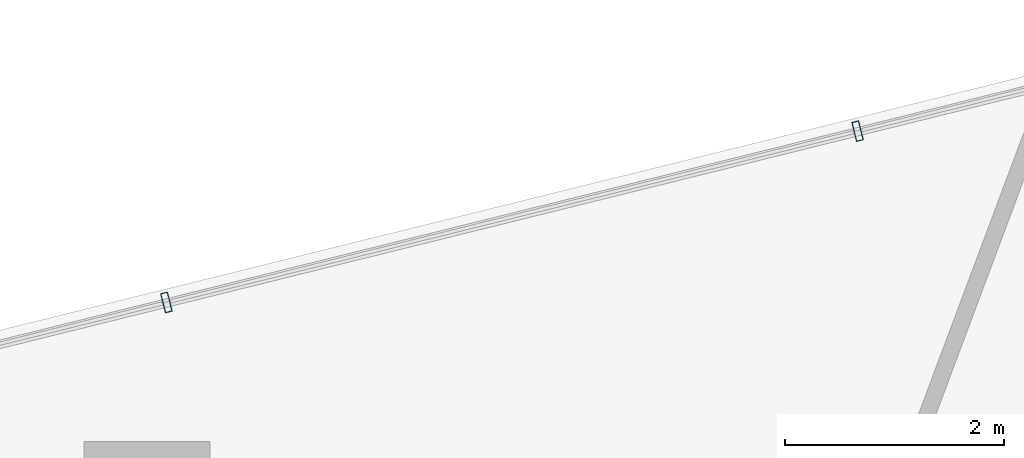
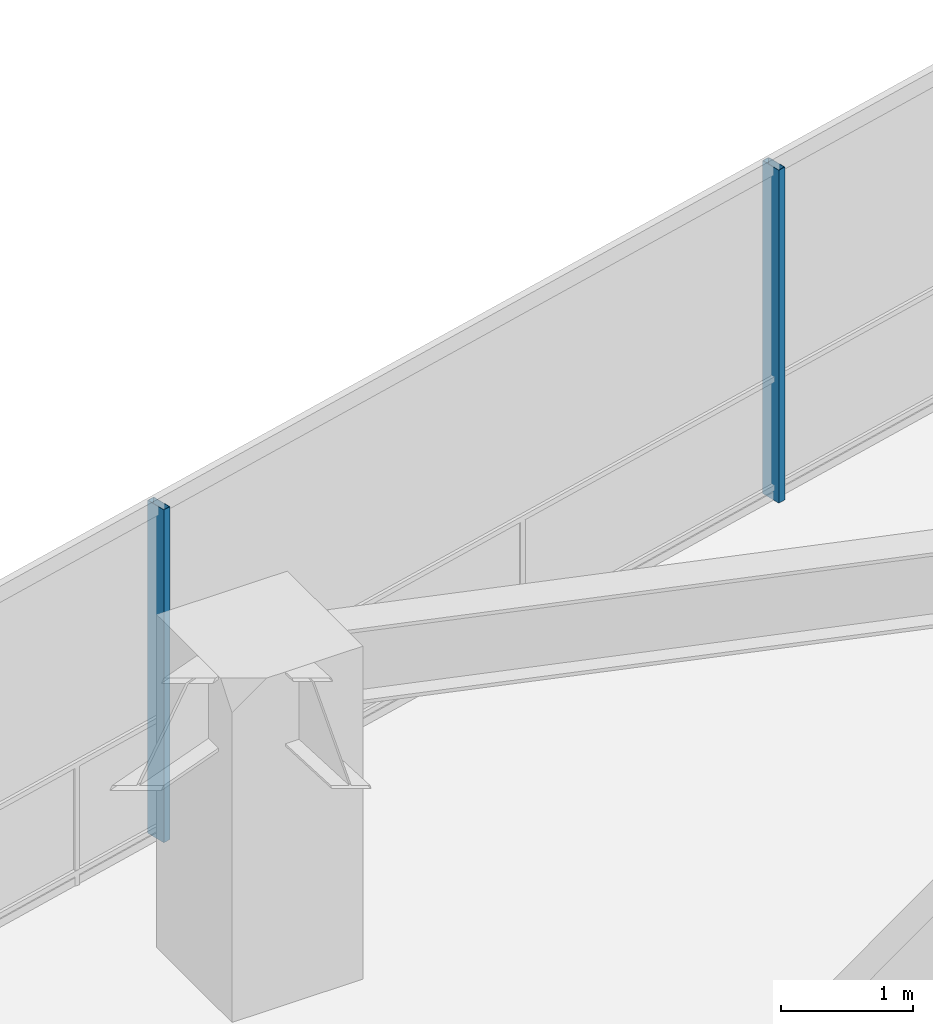
# One storey, part 15 of 23: 2 members, 1 element without a shape of its own.
"""IFC4 building model written with IfcOpenShell, lengths in metres."""

from ifc_helpers import new_model, si_unit, direction, frame, origin, origin_2d, place, context, subcontext, project, spatial, hollow_rectangle, extrude, material, layer, layer_set, material_profile, profile_set, type_object, element, aggregate, save


model = new_model("IFC4")

# Units and contexts
model_context = context("Model", 3, precision=1e-05, world=origin(), true_north=direction((0.0, 1.0)))
body_context = subcontext(model_context, "Body", "Model", "MODEL_VIEW")
ifc_project = project(units=[si_unit("LENGTHUNIT", "METRE"), si_unit("AREAUNIT", "SQUARE_METRE"), si_unit("VOLUMEUNIT", "CUBIC_METRE"), si_unit("PLANEANGLEUNIT", "RADIAN"), si_unit("MASSUNIT", "GRAM", prefix="KILO")], contexts=[model_context])

# Site, building, storey
site_placement = place(None, origin())
site = spatial("IfcSite", under=ifc_project, at=site_placement, CompositionType="ELEMENT")
building_placement = place(site_placement, origin())
building = spatial("IfcBuilding", under=site, at=building_placement, Name="Qarnah Convention Tower", CompositionType="ELEMENT")
storey_placement = place(building_placement, frame((0.0, 0.0, 117.75)))
storey = spatial("IfcBuildingStorey", under=building, at=storey_placement, Name="L31", CompositionType="ELEMENT", Elevation=117.75)

# Curtain wall, members
ifc_material_1 = material(Name="Tempered Low-E dark glass", Category="glass")
ifc_layer = layer(ifc_material_1, 0.169921875)
ifc_layer_set = layer_set([ifc_layer], Name="Tempered Low-E dark glass")
curtain_wall_type = type_object("IfcCurtainWallType", Name="CWS-02", PredefinedType="NOTDEFINED", material=ifc_layer_set)
curtain_wall_placement = place(storey_placement, origin())
curtain_wall = element("IfcCurtainWall", 1, at=curtain_wall_placement, inside=storey, type_object=curtain_wall_type, Name="L31 unitised curtain wall CW-L31-F1", PredefinedType="NOTDEFINED")
ifc_material_2 = material(Name="Black anodised aluminium", Category="aluminium")
ifc_material_profile = material_profile(ifc_material_2, hollow_rectangle(XDim=0.06494140625, YDim=0.179931640625, WallThickness=0.00390625, at=origin_2d()), Name="MUL-65X180")
ifc_profile_set = profile_set([ifc_material_profile], Name="Black anodised aluminium")
member_type = type_object("IfcMemberType", Name="MUL-T2", PredefinedType="MULLION", material=ifc_profile_set)
member_1_placement = place(storey_placement, frame((36.830810546875, 43.881103515625, 0.0), z_axis=(0.0, 0.0, 1.0), x_axis=(0.970638864728, 0.240541460625, 0.0)))
member_1 = element("IfcMember", 2, at=member_1_placement, type_object=member_type, Name="CW-L31-F1 mullion 4", PredefinedType="MULLION", context=body_context, shape_type="SweptSolid", body=[
    extrude(hollow_rectangle(XDim=0.06494140625, YDim=0.179931640625, WallThickness=0.00390625, at=origin_2d()), origin(), (0.0, 0.0, 1.0), 3.090087890625),
])
member_2_placement = place(storey_placement, frame((43.13134765625, 45.442626953125, 0.0), z_axis=(0.0, 0.0, 1.0), x_axis=(0.970638864728, 0.240541460625, 0.0)))
member_2 = element("IfcMember", 3, at=member_2_placement, type_object=member_type, Name="CW-L31-F1 mullion 5", PredefinedType="MULLION", context=body_context, shape_type="SweptSolid", body=[
    extrude(hollow_rectangle(XDim=0.06494140625, YDim=0.179931640625, WallThickness=0.00390625, at=origin_2d()), origin(), (0.0, 0.0, 1.0), 3.090087890625),
])
aggregate(curtain_wall, [member_1, member_2])

save(model, "model.ifc")
